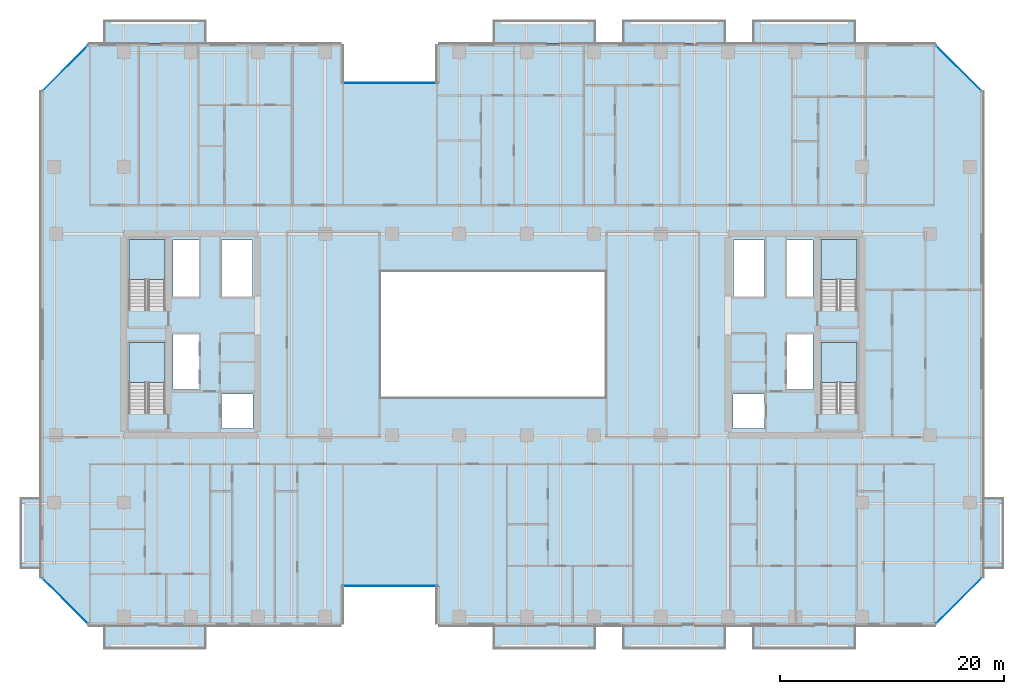
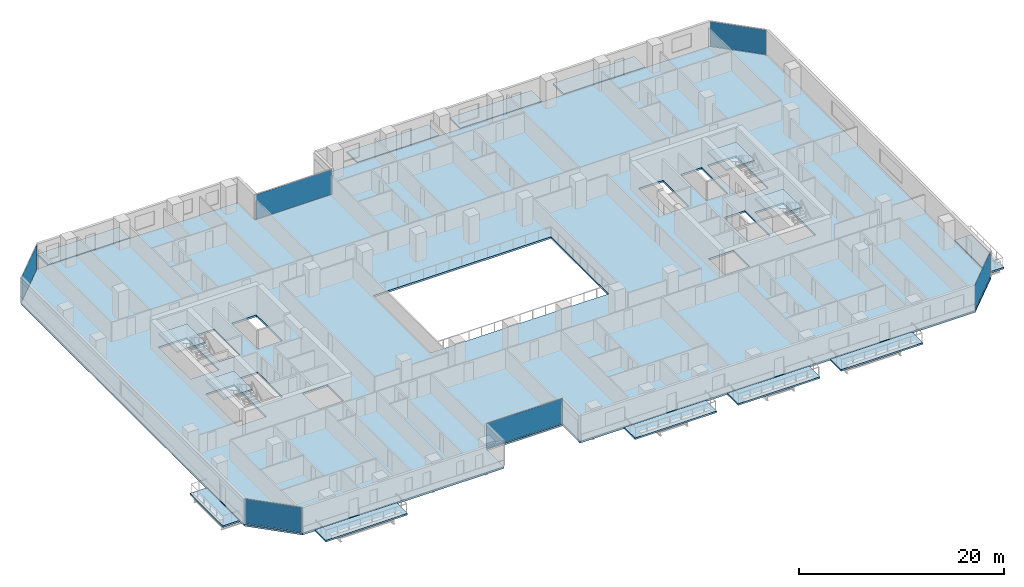
# One storey, part 16 of 33: 15 slabs, 6 plates, 10 elements without a shape of their own.
"""IFC4 building model written with IfcOpenShell, lengths in metres."""

from ifc_helpers import new_model, si_unit, direction, frame, origin, origin_2d, place, context, subcontext, project, spatial, polyline, rectangle, outline, extrude, material, layer, layer_set, type_object, element, aggregate, save


model = new_model("IFC4")

# Units and contexts
model_context = context("Model", 3, precision=1e-05, world=origin(), true_north=direction((0.0, 1.0)))
body_context = subcontext(model_context, "Body", "Model", "MODEL_VIEW")
ifc_project = project(units=[si_unit("LENGTHUNIT", "METRE"), si_unit("AREAUNIT", "SQUARE_METRE"), si_unit("VOLUMEUNIT", "CUBIC_METRE"), si_unit("PLANEANGLEUNIT", "RADIAN"), si_unit("MASSUNIT", "GRAM", prefix="KILO")], contexts=[model_context])

# Site, building, storey
site_placement = place(None, origin())
site = spatial("IfcSite", under=ifc_project, at=site_placement, CompositionType="ELEMENT")
building_placement = place(site_placement, origin())
building = spatial("IfcBuilding", under=site, at=building_placement, Name="Tanjung Sevakor Pilgrim Tower", CompositionType="ELEMENT")
storey_placement = place(building_placement, frame((0.0, 0.0, 32.340087890625)))
storey = spatial("IfcBuildingStorey", under=building, at=storey_placement, Name="L08", CompositionType="ELEMENT", Elevation=32.340087890625)

# Slabs
ifc_material_1 = material(Name="Concrete C40/50", Category="concrete")
ifc_layer_1 = layer(ifc_material_1, 0.199951171875)
ifc_layer_set_1 = layer_set([ifc_layer_1], Name="SL-BAL-200")
slab_type_1 = type_object("IfcSlabType", Name="SL-BAL-200", PredefinedType="FLOOR", material=ifc_layer_set_1)
slab_1_placement = place(storey_placement, frame((0.0, 0.0, -0.2001953125)))
element("IfcSlab", 1, at=slab_1_placement, inside=storey, type_object=slab_type_1, Name="L08 Planted Loggia Balcony MAIN-S1", PredefinedType="FLOOR", context=body_context, shape_type="SweptSolid", body=[
    extrude(outline(polyline([(22.199951171875, 5.5), (31.39990234375, 5.5), (31.39990234375, 7.60009765625), (22.199951171875, 7.60009765625), (22.199951171875, 5.5)])), origin(), (0.0, 0.0, 1.0), 0.2001953125),
])
slab_2_placement = place(storey_placement, frame((0.0, 0.0, -0.2001953125)))
element("IfcSlab", 2, at=slab_2_placement, inside=storey, type_object=slab_type_1, Name="L08 Planted Loggia Balcony MAIN-N1", PredefinedType="FLOOR", context=body_context, shape_type="SweptSolid", body=[
    extrude(outline(polyline([(22.199951171875, 59.60009765625), (31.39990234375, 59.60009765625), (31.39990234375, 61.699951171875), (22.199951171875, 61.699951171875), (22.199951171875, 59.60009765625)])), origin(), (0.0, 0.0, 1.0), 0.2001953125),
])
slab_3_placement = place(storey_placement, frame((0.0, 0.0, -0.2001953125)))
element("IfcSlab", 3, at=slab_3_placement, inside=storey, type_object=slab_type_1, Name="L08 Planted Loggia Balcony MAIN-S2", PredefinedType="FLOOR", context=body_context, shape_type="SweptSolid", body=[
    extrude(outline(polyline([(57.0, 5.5), (66.199951171875, 5.5), (66.199951171875, 7.60009765625), (57.0, 7.60009765625), (57.0, 5.5)])), origin(), (0.0, 0.0, 1.0), 0.2001953125),
])
slab_4_placement = place(storey_placement, frame((0.0, 0.0, -0.2001953125)))
element("IfcSlab", 4, at=slab_4_placement, inside=storey, type_object=slab_type_1, Name="L08 Planted Loggia Balcony MAIN-N2", PredefinedType="FLOOR", context=body_context, shape_type="SweptSolid", body=[
    extrude(outline(polyline([(57.0, 59.60009765625), (66.199951171875, 59.60009765625), (66.199951171875, 61.699951171875), (57.0, 61.699951171875), (57.0, 59.60009765625)])), origin(), (0.0, 0.0, 1.0), 0.2001953125),
])
slab_5_placement = place(storey_placement, frame((0.0, 0.0, -0.2001953125)))
element("IfcSlab", 5, at=slab_5_placement, inside=storey, type_object=slab_type_1, Name="L08 Planted Loggia Balcony MAIN-S3", PredefinedType="FLOOR", context=body_context, shape_type="SweptSolid", body=[
    extrude(outline(polyline([(68.60009765625, 5.5), (77.800048828125, 5.5), (77.800048828125, 7.60009765625), (68.60009765625, 7.60009765625), (68.60009765625, 5.5)])), origin(), (0.0, 0.0, 1.0), 0.2001953125),
])
slab_6_placement = place(storey_placement, frame((0.0, 0.0, -0.2001953125)))
element("IfcSlab", 6, at=slab_6_placement, inside=storey, type_object=slab_type_1, Name="L08 Planted Loggia Balcony MAIN-N3", PredefinedType="FLOOR", context=body_context, shape_type="SweptSolid", body=[
    extrude(outline(polyline([(68.60009765625, 59.60009765625), (77.800048828125, 59.60009765625), (77.800048828125, 61.699951171875), (68.60009765625, 61.699951171875), (68.60009765625, 59.60009765625)])), origin(), (0.0, 0.0, 1.0), 0.2001953125),
])
slab_7_placement = place(storey_placement, frame((0.0, 0.0, -0.2001953125)))
element("IfcSlab", 7, at=slab_7_placement, inside=storey, type_object=slab_type_1, Name="L08 Planted Loggia Balcony MAIN-S4", PredefinedType="FLOOR", context=body_context, shape_type="SweptSolid", body=[
    extrude(outline(polyline([(80.199951171875, 5.5), (89.39990234375, 5.5), (89.39990234375, 7.60009765625), (80.199951171875, 7.60009765625), (80.199951171875, 5.5)])), origin(), (0.0, 0.0, 1.0), 0.2001953125),
])
slab_8_placement = place(storey_placement, frame((0.0, 0.0, -0.2001953125)))
element("IfcSlab", 8, at=slab_8_placement, inside=storey, type_object=slab_type_1, Name="L08 Planted Loggia Balcony MAIN-N4", PredefinedType="FLOOR", context=body_context, shape_type="SweptSolid", body=[
    extrude(outline(polyline([(80.199951171875, 59.60009765625), (89.39990234375, 59.60009765625), (89.39990234375, 61.699951171875), (80.199951171875, 61.699951171875), (80.199951171875, 59.60009765625)])), origin(), (0.0, 0.0, 1.0), 0.2001953125),
])
slab_9_placement = place(storey_placement, frame((0.0, 0.0, -0.2001953125)))
element("IfcSlab", 9, at=slab_9_placement, inside=storey, type_object=slab_type_1, Name="L08 Planted Loggia Balcony MAIN-W1", PredefinedType="FLOOR", context=body_context, shape_type="SweptSolid", body=[
    extrude(outline(polyline([(14.75, 12.64990234375), (16.60009765625, 12.64990234375), (16.60009765625, 19.050048828125), (14.75, 19.050048828125), (14.75, 12.64990234375)])), origin(), (0.0, 0.0, 1.0), 0.2001953125),
])
slab_10_placement = place(storey_placement, frame((0.0, 0.0, -0.2001953125)))
element("IfcSlab", 10, at=slab_10_placement, inside=storey, type_object=slab_type_1, Name="L08 Planted Loggia Balcony MAIN-E1", PredefinedType="FLOOR", context=body_context, shape_type="SweptSolid", body=[
    extrude(outline(polyline([(100.800048828125, 12.64990234375), (102.64990234375, 12.64990234375), (102.64990234375, 19.050048828125), (100.800048828125, 19.050048828125), (100.800048828125, 12.64990234375)])), origin(), (0.0, 0.0, 1.0), 0.2001953125),
])

# Stair, slab
ifc_material_2 = material(Name="Concrete C40/50", Category="concrete")
stair_type = type_object("IfcStairType", Name="STAIR-ST-CR150", PredefinedType="HALF_TURN_STAIR", material=ifc_material_2)
stair_1_placement = place(storey_placement, origin())
stair_1 = element("IfcStair", 11, at=stair_1_placement, inside=storey, type_object=stair_type, Name="L08 West Core Exit Stair 1", PredefinedType="HALF_TURN_STAIR")
ifc_material_3 = material(Name="Concrete C40/50", Category="concrete")
ifc_layer_2 = layer(ifc_material_3, 0.199951171875)
ifc_layer_set_2 = layer_set([ifc_layer_2], Name="SL-LAND-200")
slab_type_2 = type_object("IfcSlabType", Name="SL-LAND-200", PredefinedType="LANDING", material=ifc_layer_set_2)
slab_11_placement = place(storey_placement, frame((0.0, 0.0, 1.449951171875)))
slab_11 = element("IfcSlab", 12, at=slab_11_placement, type_object=slab_type_2, Name="TS-W1 landing 1", PredefinedType="LANDING", context=body_context, shape_type="SweptSolid", body=[
    extrude(outline(polyline([(27.699951171875, 29.300048828125), (27.699951171875, 32.89990234375), (24.5, 32.89990234375), (24.5, 29.300048828125), (27.699951171875, 29.300048828125)])), origin(), (0.0, 0.0, 1.0), 0.199951171875),
])
aggregate(stair_1, [slab_11])

stair_2_placement = place(storey_placement, origin())
stair_2 = element("IfcStair", 13, at=stair_2_placement, inside=storey, type_object=stair_type, Name="L08 West Core Exit Stair 2", PredefinedType="HALF_TURN_STAIR")
slab_12_placement = place(storey_placement, frame((0.0, 0.0, 1.449951171875)))
slab_12 = element("IfcSlab", 14, at=slab_12_placement, type_object=slab_type_2, Name="TS-W2 landing 1", PredefinedType="LANDING", context=body_context, shape_type="SweptSolid", body=[
    extrude(outline(polyline([(27.699951171875, 38.5), (27.699951171875, 42.10009765625), (24.5, 42.10009765625), (24.5, 38.5), (27.699951171875, 38.5)])), origin(), (0.0, 0.0, 1.0), 0.199951171875),
])
aggregate(stair_2, [slab_12])

stair_3_placement = place(storey_placement, origin())
stair_3 = element("IfcStair", 15, at=stair_3_placement, inside=storey, type_object=stair_type, Name="L08 East Core Exit Stair 1", PredefinedType="HALF_TURN_STAIR")
slab_13_placement = place(storey_placement, frame((0.0, 0.0, 1.449951171875)))
slab_13 = element("IfcSlab", 16, at=slab_13_placement, type_object=slab_type_2, Name="TS-E1 landing 1", PredefinedType="LANDING", context=body_context, shape_type="SweptSolid", body=[
    extrude(outline(polyline([(89.5, 29.300048828125), (89.5, 32.89990234375), (86.300048828125, 32.89990234375), (86.300048828125, 29.300048828125), (89.5, 29.300048828125)])), origin(), (0.0, 0.0, 1.0), 0.199951171875),
])
aggregate(stair_3, [slab_13])

stair_4_placement = place(storey_placement, origin())
stair_4 = element("IfcStair", 17, at=stair_4_placement, inside=storey, type_object=stair_type, Name="L08 East Core Exit Stair 2", PredefinedType="HALF_TURN_STAIR")
slab_14_placement = place(storey_placement, frame((0.0, 0.0, 1.449951171875)))
slab_14 = element("IfcSlab", 18, at=slab_14_placement, type_object=slab_type_2, Name="TS-E2 landing 1", PredefinedType="LANDING", context=body_context, shape_type="SweptSolid", body=[
    extrude(outline(polyline([(89.5, 38.5), (89.5, 42.10009765625), (86.300048828125, 42.10009765625), (86.300048828125, 38.5), (89.5, 38.5)])), origin(), (0.0, 0.0, 1.0), 0.199951171875),
])
aggregate(stair_4, [slab_14])

# Slab
ifc_material_4 = material(Name="Concrete C40/50", Category="concrete")
ifc_layer_3 = layer(ifc_material_4, 0.219970703125)
ifc_layer_set_3 = layer_set([ifc_layer_3], Name="SL-TWR-220")
slab_type_3 = type_object("IfcSlabType", Name="SL-TWR-220", PredefinedType="FLOOR", material=ifc_layer_set_3)
slab_15_placement = place(storey_placement, frame((0.0, 0.0, -0.219970703125)))
element("IfcSlab", 19, at=slab_15_placement, inside=storey, type_object=slab_type_3, Name="L08 Floor Slab MAIN", PredefinedType="FLOOR", context=body_context, shape_type="SweptSolid", body=[
    extrude(outline(polyline([(20.846923828125, 7.679931640625), (43.52001953125, 7.679931640625), (43.52001953125, 11.080078125), (52.080078125, 11.080078125), (52.080078125, 7.679931640625), (96.552978515625, 7.679931640625), (100.719970703125, 11.846923828125), (100.719970703125, 55.35302734375), (96.552978515625, 59.52001953125), (52.080078125, 59.52001953125), (52.080078125, 56.1201171875), (43.52001953125, 56.1201171875), (43.52001953125, 59.52001953125), (20.846923828125, 59.52001953125), (16.679931640625, 55.35302734375), (16.679931640625, 11.846923828125), (20.846923828125, 7.679931640625)]), holes=[polyline([(27.699951171875, 26.60009765625), (27.699951171875, 32.89990234375), (24.5, 32.89990234375), (24.5, 26.60009765625), (27.699951171875, 26.60009765625)]), polyline([(27.699951171875, 35.800048828125), (27.699951171875, 42.10009765625), (24.5, 42.10009765625), (24.5, 35.800048828125), (27.699951171875, 35.800048828125)]), polyline([(89.5, 26.60009765625), (89.5, 32.89990234375), (86.300048828125, 32.89990234375), (86.300048828125, 26.60009765625), (89.5, 26.60009765625)]), polyline([(89.5, 35.800048828125), (89.5, 42.10009765625), (86.300048828125, 42.10009765625), (86.300048828125, 35.800048828125), (89.5, 35.800048828125)]), polyline([(32.75, 25.199951171875), (35.550048828125, 25.199951171875), (35.550048828125, 28.300048828125), (32.75, 28.300048828125), (32.75, 25.199951171875)]), polyline([(28.39990234375, 28.699951171875), (30.75, 28.699951171875), (30.75, 33.60009765625), (28.39990234375, 33.60009765625), (28.39990234375, 28.699951171875)]), polyline([(28.39990234375, 37.0), (30.75, 37.0), (30.75, 42.050048828125), (28.39990234375, 42.050048828125), (28.39990234375, 37.0)]), polyline([(32.75, 37.0), (35.5, 37.0), (35.5, 42.050048828125), (32.75, 42.050048828125), (32.75, 37.0)]), polyline([(78.449951171875, 25.199951171875), (81.25, 25.199951171875), (81.25, 28.300048828125), (78.449951171875, 28.300048828125), (78.449951171875, 25.199951171875)]), polyline([(83.25, 28.699951171875), (85.60009765625, 28.699951171875), (85.60009765625, 33.60009765625), (83.25, 33.60009765625), (83.25, 28.699951171875)]), polyline([(83.25, 37.0), (85.60009765625, 37.0), (85.60009765625, 42.050048828125), (83.25, 42.050048828125), (83.25, 37.0)]), polyline([(78.5, 37.0), (81.25, 37.0), (81.25, 42.050048828125), (78.5, 42.050048828125), (78.5, 37.0)]), polyline([(47.0, 28.0), (67.0, 28.0), (67.0, 39.199951171875), (47.0, 39.199951171875), (47.0, 28.0)])]), origin(), (0.0, 0.0, 1.0), 0.219970703125),
])

# Curtain wall, plate
ifc_material_5 = material(Name="Aluminium 6063-T6 and Low-E Glass", Category="aluminium")
ifc_layer_4 = layer(ifc_material_5, 0.179931640625)
ifc_layer_set_4 = layer_set([ifc_layer_4], Name="CW-SYS-CLEFT")
curtain_wall_type_1 = type_object("IfcCurtainWallType", Name="CW-SYS-CLEFT", PredefinedType="NOTDEFINED", material=ifc_layer_set_4)
curtain_wall_1_placement = place(storey_placement, origin())
curtain_wall_1 = element("IfcCurtainWall", 20, at=curtain_wall_1_placement, inside=storey, type_object=curtain_wall_type_1, Name="L08 Curtain Wall CW-CLF-L08-2", PredefinedType="NOTDEFINED")
ifc_material_6 = material(Name="Laminated Low-E Double Glazing", Category="glass")
ifc_layer_5 = layer(ifc_material_6, 0.028076171875)
ifc_layer_set_5 = layer_set([ifc_layer_5], Name="TYPE-CWP-GLZ1")
plate_type = type_object("IfcPlateType", Name="TYPE-CWP-GLZ1", PredefinedType="CURTAIN_PANEL", material=ifc_layer_set_5)
plate_1_placement = place(storey_placement, frame((47.800048828125, 11.139892578125, 0.06494140625), z_axis=(0.0, 0.0, 1.0), x_axis=(1.0, 0.0, 0.0)))
plate_1 = element("IfcPlate", 21, at=plate_1_placement, type_object=plate_type, Name="CW-CLF panel 1.1", PredefinedType="CURTAIN_PANEL", context=body_context, shape_type="SweptSolid", body=[
    extrude(rectangle(XDim=8.530029296875, YDim=0.028076171875, at=origin_2d()), origin(), (0.0, 0.0, 1.0), 2.949951171875),
])
aggregate(curtain_wall_1, [plate_1])

ifc_material_7 = material(Name="Aluminium 6063-T6 and Low-E Glass", Category="aluminium")
ifc_layer_6 = layer(ifc_material_7, 0.179931640625)
ifc_layer_set_6 = layer_set([ifc_layer_6], Name="CW-SYS-CHAM")
curtain_wall_type_2 = type_object("IfcCurtainWallType", Name="CW-SYS-CHAM", PredefinedType="NOTDEFINED", material=ifc_layer_set_6)
curtain_wall_2_placement = place(storey_placement, origin())
curtain_wall_2 = element("IfcCurtainWall", 22, at=curtain_wall_2_placement, inside=storey, type_object=curtain_wall_type_2, Name="L08 Curtain Wall CW-CHM-L08-MAIN-5", PredefinedType="NOTDEFINED")
plate_2_placement = place(storey_placement, frame((98.60107421875, 9.799072265625, 0.06494140625), z_axis=(0.0, 0.0, 1.0), x_axis=(0.707106781187, 0.707106781187, 0.0)))
plate_2 = element("IfcPlate", 23, at=plate_2_placement, type_object=plate_type, Name="CW-CHM panel 1.1", PredefinedType="CURTAIN_PANEL", context=body_context, shape_type="SweptSolid", body=[
    extrude(rectangle(XDim=5.69384765625, YDim=0.028076171875, at=origin_2d()), origin(), (0.0, 0.0, 1.0), 2.949951171875),
])
aggregate(curtain_wall_2, [plate_2])

curtain_wall_3_placement = place(storey_placement, origin())
curtain_wall_3 = element("IfcCurtainWall", 24, at=curtain_wall_3_placement, inside=storey, type_object=curtain_wall_type_2, Name="L08 Curtain Wall CW-CHM-L08-MAIN-7", PredefinedType="NOTDEFINED")
plate_3_placement = place(storey_placement, frame((98.60107421875, 57.40087890625, 0.06494140625), z_axis=(0.0, 0.0, 1.0), x_axis=(-0.707106781187, 0.707106781187, 0.0)))
plate_3 = element("IfcPlate", 25, at=plate_3_placement, type_object=plate_type, Name="CW-CHM panel 1.1", PredefinedType="CURTAIN_PANEL", context=body_context, shape_type="SweptSolid", body=[
    extrude(rectangle(XDim=5.69384765625, YDim=0.028076171875, at=origin_2d()), origin(), (0.0, 0.0, 1.0), 2.949951171875),
])
aggregate(curtain_wall_3, [plate_3])

curtain_wall_4_placement = place(storey_placement, origin())
curtain_wall_4 = element("IfcCurtainWall", 26, at=curtain_wall_4_placement, inside=storey, type_object=curtain_wall_type_1, Name="L08 Curtain Wall CW-CLF-L08-10", PredefinedType="NOTDEFINED")
plate_4_placement = place(storey_placement, frame((47.800048828125, 56.06005859375, 0.06494140625), z_axis=(0.0, 0.0, 1.0), x_axis=(-1.0, 0.0, 0.0)))
plate_4 = element("IfcPlate", 27, at=plate_4_placement, type_object=plate_type, Name="CW-CLF panel 1.1", PredefinedType="CURTAIN_PANEL", context=body_context, shape_type="SweptSolid", body=[
    extrude(rectangle(XDim=8.530029296875, YDim=0.028076171875, at=origin_2d()), origin(), (0.0, 0.0, 1.0), 2.949951171875),
])
aggregate(curtain_wall_4, [plate_4])

curtain_wall_5_placement = place(storey_placement, origin())
curtain_wall_5 = element("IfcCurtainWall", 28, at=curtain_wall_5_placement, inside=storey, type_object=curtain_wall_type_2, Name="L08 Curtain Wall CW-CHM-L08-MAIN-13", PredefinedType="NOTDEFINED")
plate_5_placement = place(storey_placement, frame((18.799072265625, 57.40087890625, 0.06494140625), z_axis=(0.0, 0.0, 1.0), x_axis=(-0.707106781187, -0.707106781187, 0.0)))
plate_5 = element("IfcPlate", 29, at=plate_5_placement, type_object=plate_type, Name="CW-CHM panel 1.1", PredefinedType="CURTAIN_PANEL", context=body_context, shape_type="SweptSolid", body=[
    extrude(rectangle(XDim=5.69384765625, YDim=0.028076171875, at=origin_2d()), origin(), (0.0, 0.0, 1.0), 2.949951171875),
])
aggregate(curtain_wall_5, [plate_5])

curtain_wall_6_placement = place(storey_placement, origin())
curtain_wall_6 = element("IfcCurtainWall", 30, at=curtain_wall_6_placement, inside=storey, type_object=curtain_wall_type_2, Name="L08 Curtain Wall CW-CHM-L08-MAIN-15", PredefinedType="NOTDEFINED")
plate_6_placement = place(storey_placement, frame((18.799072265625, 9.799072265625, 0.06494140625), z_axis=(0.0, 0.0, 1.0), x_axis=(0.707106781187, -0.707106781187, 0.0)))
plate_6 = element("IfcPlate", 31, at=plate_6_placement, type_object=plate_type, Name="CW-CHM panel 1.1", PredefinedType="CURTAIN_PANEL", context=body_context, shape_type="SweptSolid", body=[
    extrude(rectangle(XDim=5.69384765625, YDim=0.028076171875, at=origin_2d()), origin(), (0.0, 0.0, 1.0), 2.949951171875),
])
aggregate(curtain_wall_6, [plate_6])

save(model, "model.ifc")
